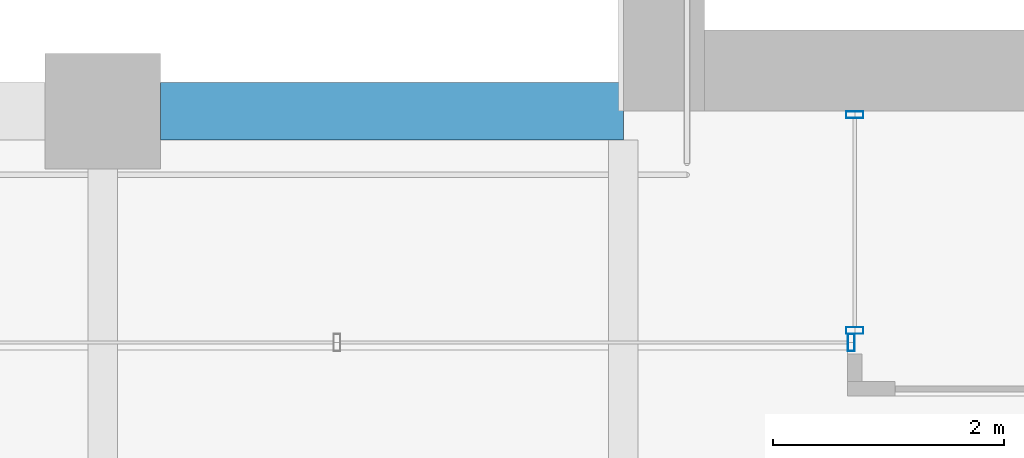
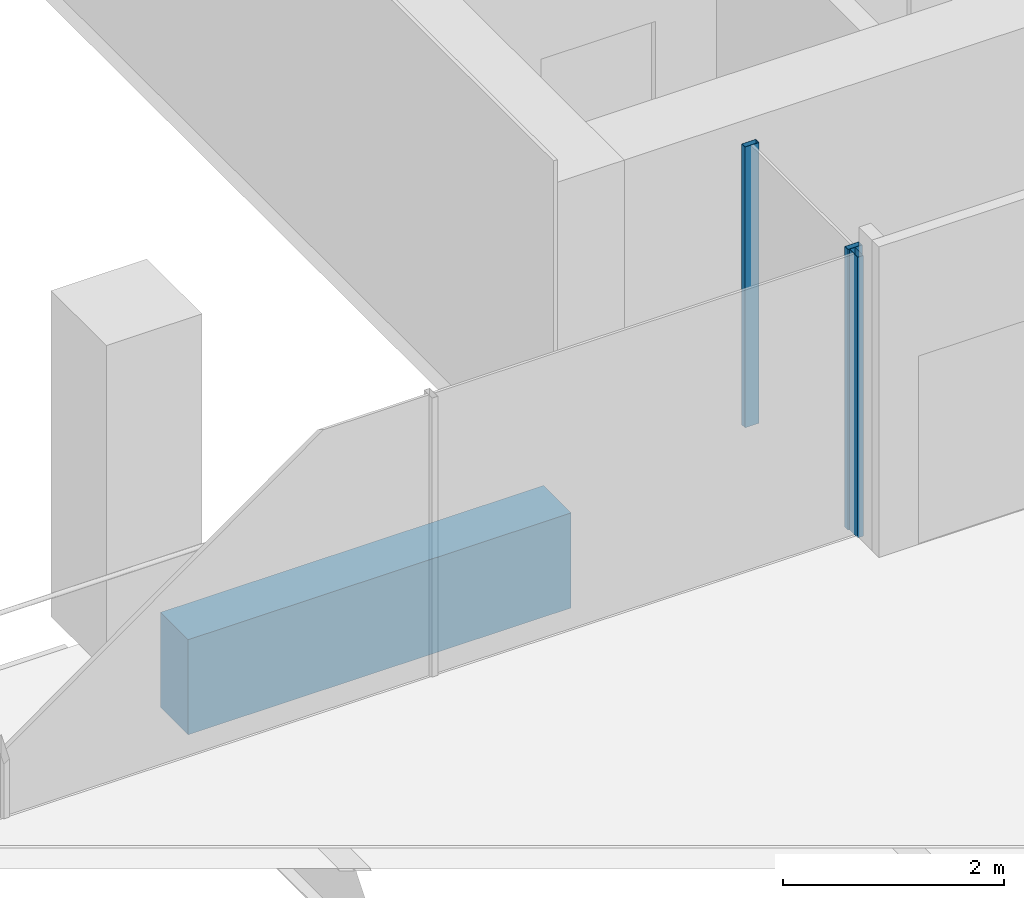
# One storey, part 6 of 47: 3 members, 1 beam, 2 elements without a shape of their own.
"""IFC4 building model written with IfcOpenShell, lengths in metres."""

import ifcopenshell
import ifcopenshell.guid

model = None  # the IFC model being written
_history = None  # IfcOwnerHistory: only IFC2X3 demands one
_inside = {}  # id of a spatial element -> (the spatial element, [elements in it])
_under = {}  # id of a project, library or spatial element -> (it, [spatial elements below it])
_declared = {}  # id of a project -> (the project, [libraries it declares])
_typed = {}  # id of a type object -> (the type object, [elements of that type])
_made_of = {}  # id of a material, layer set ... -> (it, [elements and type objects made of it])


def new_model(schema):
    """Start an empty IFC model of exactly this schema.

    Asked for "IFC4X3", IfcOpenShell would pick the latest addendum, in which some entities
    have other attributes; the version numbers below select the first issue.
    IFC2X3 requires an IfcOwnerHistory on every rooted entity: one is made here for all.
    """
    global model, _history
    if schema == "IFC4X3":
        model = ifcopenshell.file(schema_version=(4, 3, 0, 0))
    else:
        model = ifcopenshell.file(schema=schema)
    _inside.clear()
    _under.clear()
    _declared.clear()
    _typed.clear()
    _made_of.clear()
    _history = None
    if model.schema == "IFC2X3":
        org = make("IfcOrganization", Name="unknown")
        user = make(
            "IfcPersonAndOrganization",
            ThePerson=make("IfcPerson", FamilyName="unknown"),
            TheOrganization=org,
        )
        app = make(
            "IfcApplication",
            ApplicationDeveloper=org,
            Version="unknown",
            ApplicationFullName="unknown",
            ApplicationIdentifier="unknown",
        )
        _history = make(
            "IfcOwnerHistory",
            OwningUser=user,
            OwningApplication=app,
            ChangeAction="ADDED",
            CreationDate=0,
        )
    return model


def make(cls, **values):
    """One entity of the class cls with the attributes given. An attribute that is None is left unset."""
    return model.create_entity(
        cls, **{name: value for name, value in values.items() if value is not None}
    )


def rooted(cls, **values):
    """An entity with a GlobalId (a new one), such as an element, a storey or a relation."""
    return make(cls, GlobalId=ifcopenshell.guid.new(), OwnerHistory=_history, **values)


def si_unit(unit_type, name, prefix=None):
    """IfcSIUnit, for example si_unit("LENGTHUNIT", "METRE", prefix="MILLI")."""
    return make("IfcSIUnit", UnitType=unit_type, Prefix=prefix, Name=name)


def assignment(units):
    """IfcUnitAssignment: the units of a project."""
    return None if units is None else make("IfcUnitAssignment", Units=units)


def point(xyz):
    """IfcCartesianPoint."""
    return None if xyz is None else make("IfcCartesianPoint", Coordinates=xyz)


def direction(xyz):
    """IfcDirection."""
    return None if xyz is None else make("IfcDirection", DirectionRatios=xyz)


def frame(location, z_axis=None, x_axis=None):
    """IfcAxis2Placement3D, a coordinate frame: its origin and axes. An axis left out is left unset."""
    return make(
        "IfcAxis2Placement3D",
        Location=point(location),
        Axis=direction(z_axis),
        RefDirection=direction(x_axis),
    )


def frame_2d(location, x_axis=None):
    """IfcAxis2Placement2D, a coordinate frame in the plane: its origin and x axis."""
    return make(
        "IfcAxis2Placement2D", Location=point(location), RefDirection=direction(x_axis)
    )


def origin():
    """The frame at (0, 0, 0) with its axes left unset."""
    return frame((0.0, 0.0, 0.0))


def origin_2d():
    """The frame at (0, 0) in the plane with its x axis left unset."""
    return frame_2d((0.0, 0.0))


def place(relative_to, where):
    """IfcLocalPlacement: puts the frame where relative to a parent placement (None: the world)."""
    return make(
        "IfcLocalPlacement", PlacementRelTo=relative_to, RelativePlacement=where
    )


def context(
    kind, dimensions, precision=None, world=None, true_north=None, identifier=None
):
    """IfcGeometricRepresentationContext, for example the 3D "Model" context."""
    return make(
        "IfcGeometricRepresentationContext",
        ContextIdentifier=identifier,
        ContextType=kind,
        CoordinateSpaceDimension=dimensions,
        Precision=precision,
        WorldCoordinateSystem=world,
        TrueNorth=true_north,
    )


def subcontext(parent, identifier, kind, view, scale=None):
    """IfcGeometricRepresentationSubContext, for example "Body" below "Model"."""
    return make(
        "IfcGeometricRepresentationSubContext",
        ContextIdentifier=identifier,
        ContextType=kind,
        ParentContext=parent,
        TargetScale=scale,
        TargetView=view,
    )


def project(units=None, contexts=None):
    """IfcProject with its units and contexts."""
    return rooted(
        "IfcProject",
        Name="project",
        RepresentationContexts=contexts,
        UnitsInContext=assignment(units),
    )


def spatial(cls, under=None, at=None, **own):
    """A site, building, storey or space (cls), placed at a placement, below another one or the project."""
    s = rooted(cls, ObjectPlacement=at, **own)
    if under is not None:
        _under.setdefault(under.id(), (under, []))[1].append(s)
    return s


def profile(cls, at=None, kind="AREA", **sizes):
    """A parametric profile (cls). Its sizes go by their IFC names, for example OverallWidth=200.0."""
    return make(cls, ProfileType=kind, Position=at, **sizes)


def rectangle(**sizes):
    """IfcRectangleProfileDef."""
    return profile("IfcRectangleProfileDef", **sizes)


def hollow_rectangle(**sizes):
    """IfcRectangleHollowProfileDef."""
    return profile("IfcRectangleHollowProfileDef", **sizes)


def extrude(swept, where, along, depth):
    """IfcExtrudedAreaSolid: the profile swept, set in the frame where, extruded along a direction by depth."""
    return make(
        "IfcExtrudedAreaSolid",
        SweptArea=swept,
        Position=where,
        ExtrudedDirection=direction(along),
        Depth=depth,
    )


def shape(context_of_items, identifier, shape_type, items):
    """IfcShapeRepresentation: the items that make up one representation, for example the "Body"."""
    return make(
        "IfcShapeRepresentation",
        ContextOfItems=context_of_items,
        RepresentationIdentifier=identifier,
        RepresentationType=shape_type,
        Items=items,
    )


def material(Name=None, Category=None):
    """IfcMaterial."""
    return make("IfcMaterial", Name=Name, Category=Category)


def material_profile(
    of_material, cross_section, Name=None, Category=None, Priority=None
):
    """IfcMaterialProfile: a cross section and its material."""
    return make(
        "IfcMaterialProfile",
        Name=Name,
        Material=of_material,
        Profile=cross_section,
        Priority=Priority,
        Category=Category,
    )


def profile_set(profiles, Name=None, composite=None):
    """IfcMaterialProfileSet."""
    return make(
        "IfcMaterialProfileSet",
        Name=Name,
        MaterialProfiles=profiles,
        CompositeProfile=composite,
    )


def made_of(thing, what):
    """Note that an element or type object is made of a material, layer set ...; save() writes the relation."""
    if what is not None:
        _made_of.setdefault(what.id(), (what, []))[1].append(thing)
    return thing


def type_object(cls, material=None, **own):
    """A type object (cls), such as IfcWallType, which elements share."""
    return made_of(rooted(cls, **own), material)


def element(
    cls,
    number,
    at=None,
    inside=None,
    cuts=None,
    type_object=None,
    material=None,
    context=None,
    identifier="Body",
    shape_type=None,
    held_by="IfcProductDefinitionShape",
    body=None,
    shapes=None,
    **own,
):
    """One element of the class cls, such as IfcWall. Its Tag is "e" and its number.

    at: its placement. inside: the storey or other place that contains it. cuts: it is an
    opening in that element (IfcRelVoidsElement). A single representation is given by context,
    identifier, shape_type and body (its items); several are given by shapes. held_by: the class
    of the entity that holds the representations. save() writes the other relations.
    """
    e = rooted(cls, Tag="e%d" % number, ObjectPlacement=at, **own)
    if body is not None:
        shapes = [shape(context, identifier, shape_type, body)]
    if shapes is not None:
        e.Representation = make(held_by, Representations=shapes)
    if inside is not None:
        _inside.setdefault(inside.id(), (inside, []))[1].append(e)
    if cuts is not None:
        rooted(
            "IfcRelVoidsElement", RelatingBuildingElement=cuts, RelatedOpeningElement=e
        )
    if type_object is not None:
        _typed.setdefault(type_object.id(), (type_object, []))[1].append(e)
    return made_of(e, material)


def aggregate(whole, parts):
    """IfcRelAggregates: a whole, such as a stair, and the parts it consists of."""
    return rooted("IfcRelAggregates", RelatingObject=whole, RelatedObjects=parts)


def save(model, path):
    """Write the relations noted so far, then the file.

    IfcRelAggregates (storeys below a building ...), IfcRelContainedInSpatialStructure (elements
    in a storey), IfcRelDefinesByType, IfcRelAssociatesMaterial and IfcRelDeclares: one each for
    every whole, place, type object, material and project.
    """
    for whole, parts in _under.values():
        aggregate(whole, parts)
    for where, things in _inside.values():
        rooted(
            "IfcRelContainedInSpatialStructure",
            RelatedElements=things,
            RelatingStructure=where,
        )
    for kind, things in _typed.values():
        rooted("IfcRelDefinesByType", RelatedObjects=things, RelatingType=kind)
    for what, things in _made_of.values():
        rooted("IfcRelAssociatesMaterial", RelatedObjects=things, RelatingMaterial=what)
    for by, libraries in _declared.values():
        rooted("IfcRelDeclares", RelatingContext=by, RelatedDefinitions=libraries)
    model.write(path)


model = new_model("IFC4")

# Units and contexts
model_context = context("Model", 3, precision=1e-05, world=origin(), true_north=direction((0.0, 1.0)))
body_context = subcontext(model_context, "Body", "Model", "MODEL_VIEW")
ifc_project = project(units=[si_unit("LENGTHUNIT", "METRE"), si_unit("AREAUNIT", "SQUARE_METRE"), si_unit("VOLUMEUNIT", "CUBIC_METRE"), si_unit("PLANEANGLEUNIT", "RADIAN"), si_unit("MASSUNIT", "GRAM", prefix="KILO")], contexts=[model_context])

# Site, building, storey
site_placement = place(None, origin())
site = spatial("IfcSite", under=ifc_project, at=site_placement, CompositionType="ELEMENT")
building_placement = place(site_placement, origin())
building = spatial("IfcBuilding", under=site, at=building_placement, Name="Altepetl Exchange Towers", CompositionType="ELEMENT")
storey_placement = place(building_placement, frame((0.0, 0.0, 99.199951171875)))
storey = spatial("IfcBuildingStorey", under=building, at=storey_placement, Name="L24", CompositionType="ELEMENT", Elevation=99.199951171875)

# Curtain wall, members
ifc_material_1 = material(Name="Aluminium 6063-T6 glazing", Category="aluminium")
curtain_wall_type = type_object("IfcCurtainWallType", Name="Loggia glazing system", PredefinedType="NOTDEFINED", material=ifc_material_1)
curtain_wall_1_placement = place(storey_placement, origin())
curtain_wall_1 = element("IfcCurtainWall", 1, at=curtain_wall_1_placement, inside=storey, type_object=curtain_wall_type, Name="CW1 run", PredefinedType="NOTDEFINED")
ifc_material_2 = material(Name="Aluminium 6063-T6", Category="aluminium")
ifc_material_profile_1 = material_profile(ifc_material_2, hollow_rectangle(XDim=0.06005859375, YDim=0.14990234375, WallThickness=0.0029296875, at=origin_2d()), Name="Mullion 60x150 aluminium")
ifc_profile_set_1 = profile_set([ifc_material_profile_1], Name="Aluminium 6063-T6")
member_type = type_object("IfcMemberType", Name="Mullion 60x150 aluminium", PredefinedType="MULLION", material=ifc_profile_set_1)
member_1_placement = place(storey_placement, frame((42.5, 40.469970703125, 0.0), z_axis=(0.0, 0.0, 1.0), x_axis=(0.0, -1.0, 0.0)))
member_1 = element("IfcMember", 2, at=member_1_placement, type_object=member_type, Name="MU1 mullion", PredefinedType="MULLION", context=body_context, shape_type="SweptSolid", body=[
    extrude(hollow_rectangle(XDim=0.06005859375, YDim=0.14990234375, WallThickness=0.0029296875, at=origin_2d()), origin(), (0.0, 0.0, 1.0), 3.10009765625),
])
member_2_placement = place(storey_placement, frame((42.5, 38.60498046875, 0.0), z_axis=(0.0, 0.0, 1.0), x_axis=(0.0, -1.0, 0.0)))
member_2 = element("IfcMember", 3, at=member_2_placement, type_object=member_type, Name="MU1 mullion", PredefinedType="MULLION", context=body_context, shape_type="SweptSolid", body=[
    extrude(hollow_rectangle(XDim=0.06005859375, YDim=0.14990234375, WallThickness=0.0029296875, at=origin_2d()), origin(), (0.0, 0.0, 1.0), 3.10009765625),
])
aggregate(curtain_wall_1, [member_1, member_2])

# Curtain wall, member
curtain_wall_2_placement = place(storey_placement, origin())
curtain_wall_2 = element("IfcCurtainWall", 4, at=curtain_wall_2_placement, inside=storey, type_object=curtain_wall_type, Name="CW1 run", PredefinedType="NOTDEFINED")
member_3_placement = place(storey_placement, frame((42.469970703125, 38.5, 0.0), z_axis=(0.0, 0.0, 1.0), x_axis=(-1.0, 0.0, 0.0)))
member_3 = element("IfcMember", 5, at=member_3_placement, type_object=member_type, Name="MU1 mullion", PredefinedType="MULLION", context=body_context, shape_type="SweptSolid", body=[
    extrude(hollow_rectangle(XDim=0.06005859375, YDim=0.14990234375, WallThickness=0.0029296875, at=origin_2d()), origin(), (0.0, 0.0, 1.0), 3.10009765625),
])
aggregate(curtain_wall_2, [member_3])

# Beam
ifc_material_3 = material(Name="Concrete C50/60 precast with tezontle facing", Category="concrete")
ifc_material_profile_2 = material_profile(ifc_material_3, rectangle(XDim=0.5, YDim=1.050048828125, at=origin_2d()), Name="500 x 1050")
ifc_profile_set_2 = profile_set([ifc_material_profile_2], Name="Concrete C50/60 precast with tezontle facing")
beam_type = type_object("IfcBeamType", Name="Spandrel beam 500x1050 tezontle", PredefinedType="SPANDREL", material=ifc_profile_set_2)
beam_placement = place(storey_placement, frame((40.5, 40.5, -0.675048828125), z_axis=(-1.0, 0.0, 0.0), x_axis=(0.0, -1.0, 0.0)))
element("IfcBeam", 6, at=beam_placement, inside=storey, type_object=beam_type, Name="sp:A:L24:033", PredefinedType="SPANDREL", context=body_context, shape_type="SweptSolid", body=[
    extrude(rectangle(XDim=0.5, YDim=1.050048828125, at=origin_2d()), origin(), (0.0, 0.0, 1.0), 4.0),
])

save(model, "model.ifc")
